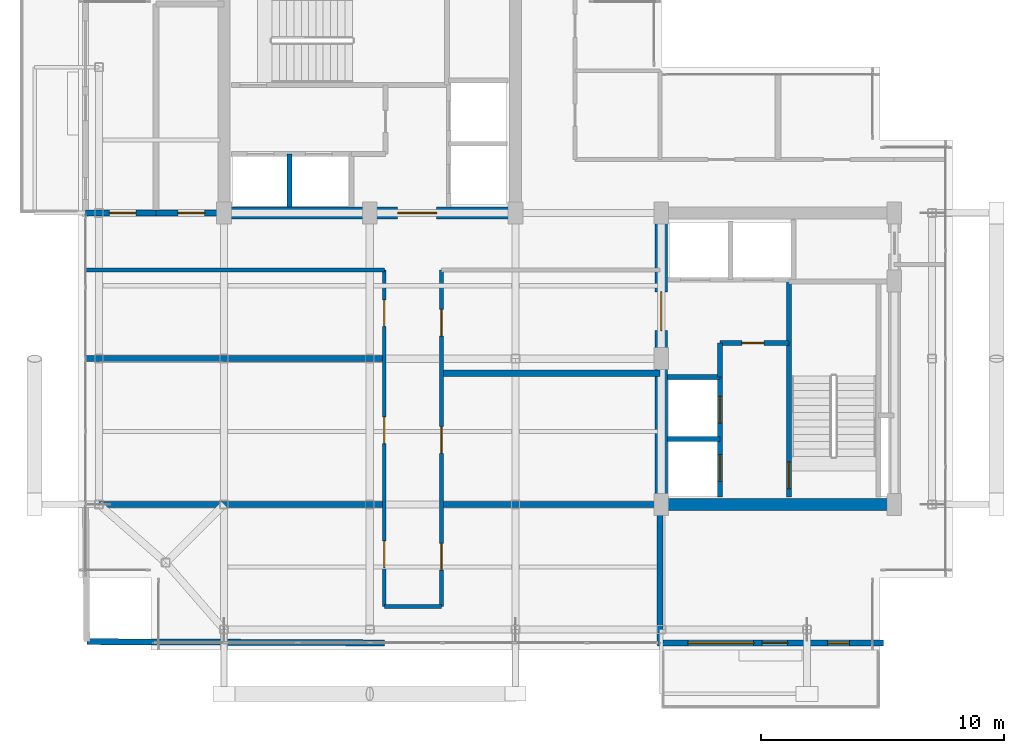
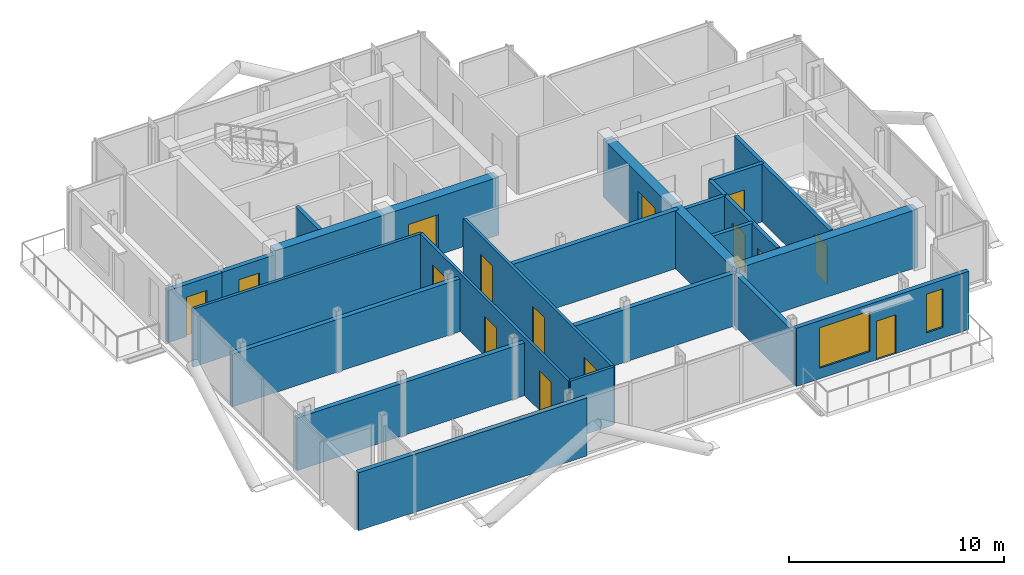
# One storey, part 15 of 19: 23 walls, 15 doors, 2 windows, 17 openings.
"""IFC4 building model written with IfcOpenShell, lengths in metres."""

from ifc_helpers import new_model, si_unit, direction, frame, frame_2d, origin, place, context, subcontext, project, spatial, rectangle, extrude, material, layer, layer_set, type_object, element, fill, save


model = new_model("IFC4")

# Units and contexts
model_context = context("Model", 3, precision=1e-05, world=origin(), true_north=direction((0.0, 1.0)))
body_context = subcontext(model_context, "Body", "Model", "MODEL_VIEW")
ifc_project = project(units=[si_unit("LENGTHUNIT", "METRE"), si_unit("AREAUNIT", "SQUARE_METRE"), si_unit("VOLUMEUNIT", "CUBIC_METRE"), si_unit("PLANEANGLEUNIT", "RADIAN"), si_unit("MASSUNIT", "GRAM", prefix="KILO"), si_unit("THERMODYNAMICTEMPERATUREUNIT", "KELVIN"), si_unit("POWERUNIT", "WATT")], contexts=[model_context])

# Site, building, storey
site_placement = place(None, origin())
site = spatial("IfcSite", under=ifc_project, at=site_placement, CompositionType="ELEMENT")
building_placement = place(site_placement, origin())
building = spatial("IfcBuilding", under=site, at=building_placement, Name="Svarakhadi Broadcast Tower", CompositionType="ELEMENT")
storey_placement = place(building_placement, frame((0.0, 0.0, 285.199951171875)))
storey = spatial("IfcBuildingStorey", under=building, at=storey_placement, Name="L72", CompositionType="ELEMENT", Elevation=285.199951171875)

# Walls
ifc_material_1 = material(Name="Double-Stud Acoustic Studio Partition STC-62", Category="gypsum")
ifc_layer_1 = layer(ifc_material_1, 0.25)
ifc_layer_set_1 = layer_set([ifc_layer_1], Name="Double-Stud Acoustic Studio Partition STC-62")
wall_type_1 = type_object("IfcWallType", Name="Wall_Acoust_250", PredefinedType="PARTITIONING", material=ifc_layer_set_1)
wall_1_placement = place(storey_placement, frame((0.35009765625, 0.35009765625, 0.0), z_axis=(0.0, 0.0, 1.0), x_axis=(0.999991653965, -0.004085584524, 0.0)))
element("IfcWall", 1, at=wall_1_placement, inside=storey, type_object=wall_type_1, Name="L72 Chairman Diplomatic Chambers Wall", PredefinedType="PARTITIONING", context=body_context, shape_type="SweptSolid", body=[
    extrude(rectangle(XDim=12.25, YDim=0.25, at=frame_2d((6.125, 0.0))), origin(), (0.0, 0.0, 1.0), 3.300048828125),
])
for number, where, z_axis, x_axis, name in (
    (2, (0.300048828125, 6.0, 0.0), (0.0, 0.0, 1.0), (1.0, 0.0, 0.0), "L72 Chairman Diplomatic Chambers Wall"),
    (3, (0.300048828125, 12.0, 0.0), (0.0, 0.0, 1.0), (1.0, 0.0, 0.0), "L72 International Counsel Office Wall"),
):
    element("IfcWall", number, at=place(storey_placement, frame(where, z_axis=z_axis, x_axis=x_axis)), inside=storey, type_object=wall_type_1, Name=name, PredefinedType="PARTITIONING", context=body_context, shape_type="SweptSolid", body=[
        extrude(rectangle(XDim=12.300048828125, YDim=0.25, at=frame_2d((6.14990234375, 0.0))), origin(), (0.0, 0.0, 1.0), 2.991943359375),
    ])
wall_2_placement = place(storey_placement, frame((14.949951171875, 6.0, 0.0), z_axis=(0.0, 0.0, 1.0), x_axis=(1.0, 0.0, 0.0)))
element("IfcWall", 4, at=wall_2_placement, inside=storey, type_object=wall_type_1, Name="L72 Summit State Banquet Dining Hall Wall", PredefinedType="PARTITIONING", context=body_context, shape_type="SweptSolid", body=[
    extrude(rectangle(XDim=9.0, YDim=0.25, at=frame_2d((4.5, 0.0))), origin(), (0.0, 0.0, 1.0), 2.991943359375),
])
wall_3_placement = place(storey_placement, frame((23.949951171875, 0.300048828125, 0.0), z_axis=(0.0, 0.0, 1.0), x_axis=(0.0, 1.0, 0.0)))
element("IfcWall", 5, at=wall_3_placement, inside=storey, type_object=wall_type_1, Name="L72 Summit State Banquet Dining Hall Wall", PredefinedType="PARTITIONING", context=body_context, shape_type="SweptSolid", body=[
    extrude(rectangle(XDim=5.699951171875, YDim=0.25, at=frame_2d((2.85009765625, 0.0))), origin(), (0.0, 0.0, 1.0), 2.967041015625),
])
wall_4_placement = place(storey_placement, frame((14.949951171875, 11.39990234375, 0.0), z_axis=(0.0, 0.0, 1.0), x_axis=(1.0, 0.0, 0.0)))
element("IfcWall", 6, at=wall_4_placement, inside=storey, type_object=wall_type_1, Name="L72 Summit Culinary Preparation Kitchen Wall", PredefinedType="PARTITIONING", context=body_context, shape_type="SweptSolid", body=[
    extrude(rectangle(XDim=9.0, YDim=0.25, at=frame_2d((4.5, 0.0))), origin(), (0.0, 0.0, 1.0), 3.300048828125),
])

# Wall, opening, door
wall_5_placement = place(storey_placement, frame((0.300048828125, 18.0, 0.0), z_axis=(0.0, 0.0, 1.0), x_axis=(1.0, 0.0, 0.0)))
wall_5 = element("IfcWall", 7, at=wall_5_placement, inside=storey, type_object=wall_type_1, Name="L72 State Reception Salon Wall", PredefinedType="PARTITIONING", context=body_context, shape_type="SweptSolid", body=[
    extrude(rectangle(XDim=2.89990234375, YDim=0.25, at=frame_2d((1.449951171875, 0.0))), origin(), (0.0, 0.0, 1.0), 2.967041015625),
])
opening_1_placement = place(wall_5_placement, frame((0.97509765625, 0.0, 0.0)))
opening_1 = element("IfcOpeningElement", 8, at=opening_1_placement, cuts=wall_5, Name="Opening D-11", PredefinedType="OPENING", context=body_context, shape_type="SweptSolid", body=[
    extrude(rectangle(XDim=1.10009765625, YDim=2.25, at=frame_2d((0.550048828125, 1.125))), frame((0.0, 0.135009765625, 0.0), z_axis=(0.0, -1.0, 0.0), x_axis=(1.0, 0.0, 0.0)), (0.0, 0.0, 1.0), 0.27001953125),
])
ifc_material_2 = material(Name="Solid-Core Teak Veneer Acoustic Timber Leaf", Category="wood")
door_type_1 = type_object("IfcDoorType", Name="Door_Acoust_D11", OperationType="SINGLE_SWING_RIGHT", PredefinedType="DOOR", material=ifc_material_2)
door_1_placement = place(opening_1_placement, origin())
door_1 = element("IfcDoor", 9, at=door_1_placement, inside=storey, type_object=door_type_1, Name="L72 State Reception Salon Door", OperationType="SINGLE_SWING_RIGHT", OverallHeight=2.25, OverallWidth=1.10009765625, PredefinedType="DOOR", context=body_context, shape_type="SweptSolid", body=[
    extrude(rectangle(XDim=1.10009765625, YDim=2.25, at=frame_2d((0.550048828125, 1.125))), frame((0.0, 0.02490234375, 0.0), z_axis=(0.0, -1.0, 0.0), x_axis=(1.0, 0.0, 0.0)), (0.0, 0.0, 1.0), 0.050048828125),
])
fill(opening_1, door_1)

wall_6_placement = place(storey_placement, frame((3.199951171875, 18.0, 0.0), z_axis=(0.0, 0.0, 1.0), x_axis=(1.0, 0.0, 0.0)))
wall_6 = element("IfcWall", 10, at=wall_6_placement, inside=storey, type_object=wall_type_1, Name="L72 Protocol Registry Office Wall", PredefinedType="PARTITIONING", context=body_context, shape_type="SweptSolid", body=[
    extrude(rectangle(XDim=2.800048828125, YDim=0.25, at=frame_2d((1.39990234375, 0.0))), origin(), (0.0, 0.0, 1.0), 2.991943359375),
])
opening_2_placement = place(wall_6_placement, frame((0.89990234375, 0.0, 0.0)))
opening_2 = element("IfcOpeningElement", 11, at=opening_2_placement, cuts=wall_6, Name="Opening D-10", PredefinedType="OPENING", context=body_context, shape_type="SweptSolid", body=[
    extrude(rectangle(XDim=1.10009765625, YDim=2.25, at=frame_2d((0.550048828125, 1.125))), frame((0.0, 0.135009765625, 0.0), z_axis=(0.0, -1.0, 0.0), x_axis=(1.0, 0.0, 0.0)), (0.0, 0.0, 1.0), 0.27001953125),
])
door_type_2 = type_object("IfcDoorType", Name="Door_Acoust_D10", OperationType="SINGLE_SWING_LEFT", PredefinedType="DOOR", material=ifc_material_2)
door_2_placement = place(opening_2_placement, origin())
door_2 = element("IfcDoor", 12, at=door_2_placement, inside=storey, type_object=door_type_2, Name="L72 Protocol Registry Office Door", OperationType="SINGLE_SWING_LEFT", OverallHeight=2.25, OverallWidth=1.10009765625, PredefinedType="DOOR", context=body_context, shape_type="SweptSolid", body=[
    extrude(rectangle(XDim=1.10009765625, YDim=2.25, at=frame_2d((0.550048828125, 1.125))), frame((0.0, 0.02490234375, 0.0), z_axis=(0.0, -1.0, 0.0), x_axis=(1.0, 0.0, 0.0)), (0.0, 0.0, 1.0), 0.050048828125),
])
fill(opening_2, door_2)

# Wall, openings, door, windows
ifc_material_3 = material(Name="Concrete C40/50 (IS 456 M50)", Category="concrete")
ifc_layer_2 = layer(ifc_material_3, 0.239990234375)
ifc_layer_set_2 = layer_set([ifc_layer_2], Name="Concrete C40/50 (IS 456 M50)")
wall_type_2 = type_object("IfcWallType", Name="Wall_Ext_240", PredefinedType="SOLIDWALL", material=ifc_layer_set_2)
wall_7_placement = place(storey_placement, frame((33.14501953125, 0.300048828125, 0.0), z_axis=(0.0, 0.0, 1.0), x_axis=(-1.0, 0.0, 0.0)))
wall_7 = element("IfcWall", 13, at=wall_7_placement, inside=storey, type_object=wall_type_2, Name="L72 South Tree Balcony Spandrel Wall", PredefinedType="SOLIDWALL", context=body_context, shape_type="SweptSolid", body=[
    extrude(rectangle(XDim=9.2900390625, YDim=0.239990234375, at=frame_2d((4.64501953125, 0.0))), origin(), (0.0, 0.0, 1.0), 3.300048828125),
])
opening_3_placement = place(wall_7_placement, frame((3.945068359375, 0.0, 0.0)))
opening_3 = element("IfcOpeningElement", 14, at=opening_3_placement, cuts=wall_7, Name="Opening ED-06", PredefinedType="OPENING", context=body_context, shape_type="SweptSolid", body=[
    extrude(rectangle(XDim=1.050048828125, YDim=2.199951171875, at=frame_2d((0.52490234375, 1.10009765625))), frame((0.0, 0.1298828125, 0.0), z_axis=(0.0, -1.0, 0.0), x_axis=(1.0, 0.0, 0.0)), (0.0, 0.0, 1.0), 0.260009765625),
])
opening_4_placement = place(wall_7_placement, frame((5.344970703125, 0.0, 0.60009765625)))
opening_4 = element("IfcOpeningElement", 15, at=opening_4_placement, cuts=wall_7, Name="Opening WN-07", PredefinedType="OPENING", context=body_context, shape_type="SweptSolid", body=[
    extrude(rectangle(XDim=2.699951171875, YDim=2.300048828125, at=frame_2d((1.35009765625, 1.14990234375))), frame((0.0, 0.1298828125, 0.0), z_axis=(0.0, -1.0, 0.0), x_axis=(1.0, 0.0, 0.0)), (0.0, 0.0, 1.0), 0.260009765625),
])
opening_5_placement = place(wall_7_placement, frame((1.39990234375, 0.0, 0.60009765625)))
opening_5 = element("IfcOpeningElement", 16, at=opening_5_placement, cuts=wall_7, Name="Opening WN-04", PredefinedType="OPENING", context=body_context, shape_type="SweptSolid", body=[
    extrude(rectangle(XDim=0.89990234375, YDim=2.199951171875, at=frame_2d((0.449951171875, 1.10009765625))), frame((0.0, 0.1298828125, 0.0), z_axis=(0.0, -1.0, 0.0), x_axis=(1.0, 0.0, 0.0)), (0.0, 0.0, 1.0), 0.260009765625),
])
ifc_material_4 = material(Name="Anodised Bronze Aluminium AA 6063-T6", Category="aluminium")
door_type_3 = type_object("IfcDoorType", Name="Door_Ext_ED06", OperationType="SINGLE_SWING_RIGHT", PredefinedType="DOOR", material=ifc_material_4)
door_3_placement = place(opening_3_placement, origin())
door_3 = element("IfcDoor", 17, at=door_3_placement, inside=storey, type_object=door_type_3, Name="L72 South Tree Balcony Door", OperationType="SINGLE_SWING_RIGHT", OverallHeight=2.199951171875, OverallWidth=1.050048828125, PredefinedType="DOOR", context=body_context, shape_type="SweptSolid", body=[
    extrude(rectangle(XDim=1.050048828125, YDim=2.199951171875, at=frame_2d((0.52490234375, 1.10009765625))), frame((0.0, 0.02490234375, 0.0), z_axis=(0.0, -1.0, 0.0), x_axis=(1.0, 0.0, 0.0)), (0.0, 0.0, 1.0), 0.050048828125),
])
fill(opening_3, door_3)
ifc_material_5 = material(Name="Double Low-E Laminated Acoustic Glass IGU 36 mm", Category="glass")
window_type_1 = type_object("IfcWindowType", Name="Win_Resi_WN07", PartitioningType="SINGLE_PANEL", PredefinedType="WINDOW", material=ifc_material_5)
window_1_placement = place(opening_4_placement, origin())
window_1 = element("IfcWindow", 18, at=window_1_placement, inside=storey, type_object=window_type_1, Name="L72 South Tree Balcony Window", OverallHeight=2.300048828125, OverallWidth=2.699951171875, PartitioningType="SINGLE_PANEL", PredefinedType="WINDOW", context=body_context, shape_type="SweptSolid", body=[
    extrude(rectangle(XDim=2.699951171875, YDim=2.300048828125, at=frame_2d((1.35009765625, 1.14990234375))), frame((0.0, 0.030029296875, 0.0), z_axis=(0.0, -1.0, 0.0), x_axis=(1.0, 0.0, 0.0)), (0.0, 0.0, 1.0), 0.06005859375),
])
fill(opening_4, window_1)
window_type_2 = type_object("IfcWindowType", Name="Win_Slot_WN04", PartitioningType="SINGLE_PANEL", PredefinedType="WINDOW", material=ifc_material_5)
window_2_placement = place(opening_5_placement, origin())
window_2 = element("IfcWindow", 19, at=window_2_placement, inside=storey, type_object=window_type_2, Name="L72 South Primary Bedroom Slot Window", OverallHeight=2.199951171875, OverallWidth=0.89990234375, PartitioningType="SINGLE_PANEL", PredefinedType="WINDOW", context=body_context, shape_type="SweptSolid", body=[
    extrude(rectangle(XDim=0.89990234375, YDim=2.199951171875, at=frame_2d((0.449951171875, 1.10009765625))), frame((0.0, 0.030029296875, 0.0), z_axis=(0.0, -1.0, 0.0), x_axis=(1.0, 0.0, 0.0)), (0.0, 0.0, 1.0), 0.06005859375),
])
fill(opening_5, window_2)

# Wall, openings, doors
ifc_material_6 = material(Name="Autoclaved Aerated Concrete Blockwork 150 mm", Category="masonry")
ifc_layer_3 = layer(ifc_material_6, 0.14990234375)
ifc_layer_set_3 = layer_set([ifc_layer_3], Name="Autoclaved Aerated Concrete Blockwork 150 mm")
wall_type_3 = type_object("IfcWallType", Name="Wall_Part_150", PredefinedType="PARTITIONING", material=ifc_layer_set_3)
wall_8_placement = place(storey_placement, frame((12.60009765625, 1.800048828125, 0.0), z_axis=(0.0, 0.0, 1.0), x_axis=(0.0, 1.0, 0.0)))
wall_8 = element("IfcWall", 20, at=wall_8_placement, inside=storey, type_object=wall_type_3, Name="L72 Upper Tower Concourse Wall", PredefinedType="PARTITIONING", context=body_context, shape_type="SweptSolid", body=[
    extrude(rectangle(XDim=13.849853515625, YDim=0.14990234375, at=frame_2d((6.9248046875, 0.0))), origin(), (0.0, 0.0, 1.0), 3.300048828125),
])
opening_6_placement = place(wall_8_placement, frame((1.60009765625, 0.0, 0.0)))
opening_6 = element("IfcOpeningElement", 21, at=opening_6_placement, cuts=wall_8, Name="Opening D-11", PredefinedType="OPENING", context=body_context, shape_type="SweptSolid", body=[
    extrude(rectangle(XDim=1.10009765625, YDim=2.25, at=frame_2d((0.550048828125, 1.125))), frame((0.0, 0.0849609375, 0.0), z_axis=(0.0, -1.0, 0.0), x_axis=(1.0, 0.0, 0.0)), (0.0, 0.0, 1.0), 0.169921875),
])
opening_7_placement = place(wall_8_placement, frame((6.699951171875, 0.0, 0.0)))
opening_7 = element("IfcOpeningElement", 22, at=opening_7_placement, cuts=wall_8, Name="Opening D-10", PredefinedType="OPENING", context=body_context, shape_type="SweptSolid", body=[
    extrude(rectangle(XDim=1.10009765625, YDim=2.25, at=frame_2d((0.550048828125, 1.125))), frame((0.0, 0.0849609375, 0.0), z_axis=(0.0, -1.0, 0.0), x_axis=(1.0, 0.0, 0.0)), (0.0, 0.0, 1.0), 0.169921875),
])
opening_8_placement = place(wall_8_placement, frame((11.52490234375, 0.0, 0.0)))
opening_8 = element("IfcOpeningElement", 23, at=opening_8_placement, cuts=wall_8, Name="Opening D-11", PredefinedType="OPENING", context=body_context, shape_type="SweptSolid", body=[
    extrude(rectangle(XDim=1.10009765625, YDim=2.25, at=frame_2d((0.550048828125, 1.125))), frame((0.0, 0.0849609375, 0.0), z_axis=(0.0, -1.0, 0.0), x_axis=(1.0, 0.0, 0.0)), (0.0, 0.0, 1.0), 0.169921875),
])
door_4_placement = place(opening_7_placement, origin())
door_4 = element("IfcDoor", 24, at=door_4_placement, inside=storey, type_object=door_type_2, Name="L72 International Counsel Office Door", OperationType="SINGLE_SWING_LEFT", OverallHeight=2.25, OverallWidth=1.10009765625, PredefinedType="DOOR", context=body_context, shape_type="SweptSolid", body=[
    extrude(rectangle(XDim=1.10009765625, YDim=2.25, at=frame_2d((0.550048828125, 1.125))), frame((0.0, 0.02490234375, 0.0), z_axis=(0.0, -1.0, 0.0), x_axis=(1.0, 0.0, 0.0)), (0.0, 0.0, 1.0), 0.050048828125),
])
fill(opening_7, door_4)
door_5_placement = place(opening_6_placement, origin())
door_5 = element("IfcDoor", 25, at=door_5_placement, inside=storey, type_object=door_type_1, Name="L72 Chairman Diplomatic Chambers Door", OperationType="SINGLE_SWING_RIGHT", OverallHeight=2.25, OverallWidth=1.10009765625, PredefinedType="DOOR", context=body_context, shape_type="SweptSolid", body=[
    extrude(rectangle(XDim=1.10009765625, YDim=2.25, at=frame_2d((0.550048828125, 1.125))), frame((0.0, 0.02490234375, 0.0), z_axis=(0.0, -1.0, 0.0), x_axis=(1.0, 0.0, 0.0)), (0.0, 0.0, 1.0), 0.050048828125),
])
fill(opening_6, door_5)
door_6_placement = place(opening_8_placement, origin())
door_6 = element("IfcDoor", 26, at=door_6_placement, inside=storey, type_object=door_type_1, Name="L72 Protocol Secretariat Office Door", OperationType="SINGLE_SWING_RIGHT", OverallHeight=2.25, OverallWidth=1.10009765625, PredefinedType="DOOR", context=body_context, shape_type="SweptSolid", body=[
    extrude(rectangle(XDim=1.10009765625, YDim=2.25, at=frame_2d((0.550048828125, 1.125))), frame((0.0, 0.02490234375, 0.0), z_axis=(0.0, -1.0, 0.0), x_axis=(1.0, 0.0, 0.0)), (0.0, 0.0, 1.0), 0.050048828125),
])
fill(opening_8, door_6)

# Wall
wall_9_placement = place(storey_placement, frame((12.60009765625, 15.64990234375, 0.0), z_axis=(0.0, 0.0, 1.0), x_axis=(-1.0, 0.0, 0.0)))
element("IfcWall", 27, at=wall_9_placement, inside=storey, type_object=wall_type_3, Name="L72 Upper Tower Concourse Wall", PredefinedType="PARTITIONING", context=body_context, shape_type="SweptSolid", body=[
    extrude(rectangle(XDim=12.300048828125, YDim=0.14990234375, at=frame_2d((6.14990234375, 0.0))), origin(), (0.0, 0.0, 1.0), 3.300048828125),
])

# Wall, openings, doors
wall_10_placement = place(storey_placement, frame((14.949951171875, 15.64990234375, 0.0), z_axis=(0.0, 0.0, 1.0), x_axis=(0.0, -1.0, 0.0)))
wall_10 = element("IfcWall", 28, at=wall_10_placement, inside=storey, type_object=wall_type_3, Name="L72 Upper Tower Concourse Wall", PredefinedType="PARTITIONING", context=body_context, shape_type="SweptSolid", body=[
    extrude(rectangle(XDim=13.849853515625, YDim=0.14990234375, at=frame_2d((6.9248046875, 0.0))), origin(), (0.0, 0.0, 1.0), 3.300048828125),
])
opening_9_placement = place(wall_10_placement, frame((11.25, 0.0, 0.0)))
opening_9 = element("IfcOpeningElement", 29, at=opening_9_placement, cuts=wall_10, Name="Opening D-10", PredefinedType="OPENING", context=body_context, shape_type="SweptSolid", body=[
    extrude(rectangle(XDim=1.10009765625, YDim=2.25, at=frame_2d((0.550048828125, 1.125))), frame((0.0, 0.0849609375, 0.0), z_axis=(0.0, -1.0, 0.0), x_axis=(1.0, 0.0, 0.0)), (0.0, 0.0, 1.0), 0.169921875),
])
opening_10_placement = place(wall_10_placement, frame((6.449951171875, 0.0, 0.0)))
opening_10 = element("IfcOpeningElement", 30, at=opening_10_placement, cuts=wall_10, Name="Opening D-11", PredefinedType="OPENING", context=body_context, shape_type="SweptSolid", body=[
    extrude(rectangle(XDim=1.10009765625, YDim=2.25, at=frame_2d((0.550048828125, 1.125))), frame((0.0, 0.0849609375, 0.0), z_axis=(0.0, -1.0, 0.0), x_axis=(1.0, 0.0, 0.0)), (0.0, 0.0, 1.0), 0.169921875),
])
opening_11_placement = place(wall_10_placement, frame((1.625, 0.0, 0.0)))
opening_11 = element("IfcOpeningElement", 31, at=opening_11_placement, cuts=wall_10, Name="Opening D-10", PredefinedType="OPENING", context=body_context, shape_type="SweptSolid", body=[
    extrude(rectangle(XDim=1.10009765625, YDim=2.25, at=frame_2d((0.550048828125, 1.125))), frame((0.0, 0.0849609375, 0.0), z_axis=(0.0, -1.0, 0.0), x_axis=(1.0, 0.0, 0.0)), (0.0, 0.0, 1.0), 0.169921875),
])
door_7_placement = place(opening_9_placement, origin())
door_7 = element("IfcDoor", 32, at=door_7_placement, inside=storey, type_object=door_type_2, Name="L72 Summit State Banquet Dining Hall Door", OperationType="SINGLE_SWING_LEFT", OverallHeight=2.25, OverallWidth=1.10009765625, PredefinedType="DOOR", context=body_context, shape_type="SweptSolid", body=[
    extrude(rectangle(XDim=1.10009765625, YDim=2.25, at=frame_2d((0.550048828125, 1.125))), frame((0.0, 0.02490234375, 0.0), z_axis=(0.0, -1.0, 0.0), x_axis=(1.0, 0.0, 0.0)), (0.0, 0.0, 1.0), 0.050048828125),
])
fill(opening_9, door_7)
door_8_placement = place(opening_11_placement, origin())
door_8 = element("IfcDoor", 33, at=door_8_placement, inside=storey, type_object=door_type_2, Name="L72 Sommelier Cold Pantry Door", OperationType="SINGLE_SWING_LEFT", OverallHeight=2.25, OverallWidth=1.10009765625, PredefinedType="DOOR", context=body_context, shape_type="SweptSolid", body=[
    extrude(rectangle(XDim=1.10009765625, YDim=2.25, at=frame_2d((0.550048828125, 1.125))), frame((0.0, 0.02490234375, 0.0), z_axis=(0.0, -1.0, 0.0), x_axis=(1.0, 0.0, 0.0)), (0.0, 0.0, 1.0), 0.050048828125),
])
fill(opening_11, door_8)
door_9_placement = place(opening_10_placement, origin())
door_9 = element("IfcDoor", 34, at=door_9_placement, inside=storey, type_object=door_type_1, Name="L72 Summit Culinary Preparation Kitchen Door", OperationType="SINGLE_SWING_RIGHT", OverallHeight=2.25, OverallWidth=1.10009765625, PredefinedType="DOOR", context=body_context, shape_type="SweptSolid", body=[
    extrude(rectangle(XDim=1.10009765625, YDim=2.25, at=frame_2d((0.550048828125, 1.125))), frame((0.0, 0.02490234375, 0.0), z_axis=(0.0, -1.0, 0.0), x_axis=(1.0, 0.0, 0.0)), (0.0, 0.0, 1.0), 0.050048828125),
])
fill(opening_10, door_9)

# Wall
wall_11_placement = place(storey_placement, frame((14.949951171875, 1.800048828125, 0.0), z_axis=(0.0, 0.0, 1.0), x_axis=(-1.0, 0.0, 0.0)))
element("IfcWall", 35, at=wall_11_placement, inside=storey, type_object=wall_type_3, Name="L72 Upper Tower Concourse Wall", PredefinedType="PARTITIONING", context=body_context, shape_type="SweptSolid", body=[
    extrude(rectangle(XDim=2.349853515625, YDim=0.14990234375, at=frame_2d((1.1748046875, 0.0))), origin(), (0.0, 0.0, 1.0), 3.300048828125),
])

# Wall, opening, door
ifc_material_7 = material(Name="Concrete C50/60 (IS 456 M60)", Category="concrete")
ifc_layer_4 = layer(ifc_material_7, 0.199951171875)
ifc_layer_set_4 = layer_set([ifc_layer_4], Name="Concrete C50/60 (IS 456 M60)")
wall_type_4 = type_object("IfcWallType", Name="Wall_Shear_200", PredefinedType="SHEAR", material=ifc_layer_set_4)
wall_12_placement = place(storey_placement, frame((29.260009765625, 6.300048828125, 0.0), z_axis=(0.0, 0.0, 1.0), x_axis=(0.0, 1.0, 0.0)))
wall_12 = element("IfcWall", 36, at=wall_12_placement, inside=storey, type_object=wall_type_4, Name="L72 Stair ST-02 West RC Shaft Wall", PredefinedType="SHEAR", context=body_context, shape_type="SweptSolid", body=[
    extrude(rectangle(XDim=8.8798828125, YDim=0.199951171875, at=frame_2d((4.43994140625, 0.0))), origin(), (0.0, 0.0, 1.0), 3.300048828125),
])
opening_12_placement = place(wall_12_placement, frame((0.35009765625, 0.0, 0.0)))
opening_12 = element("IfcOpeningElement", 37, at=opening_12_placement, cuts=wall_12, Name="Opening D-02", PredefinedType="OPENING", context=body_context, shape_type="SweptSolid", body=[
    extrude(rectangle(XDim=1.10009765625, YDim=2.199951171875, at=frame_2d((0.550048828125, 1.10009765625))), frame((0.0, 0.10986328125, 0.0), z_axis=(0.0, -1.0, 0.0), x_axis=(1.0, 0.0, 0.0)), (0.0, 0.0, 1.0), 0.219970703125),
])
ifc_material_8 = material(Name="Galvanised Powder-Coated Fire-Rated Steel Leaf", Category="steel")
door_type_4 = type_object("IfcDoorType", Name="Door_Stair_D02", OperationType="SINGLE_SWING_RIGHT", PredefinedType="DOOR", material=ifc_material_8)
door_10_placement = place(opening_12_placement, origin())
door_10 = element("IfcDoor", 38, at=door_10_placement, inside=storey, type_object=door_type_4, Name="L72 Protected Exit Stair ST-02 Fire Door", OperationType="SINGLE_SWING_RIGHT", OverallHeight=2.199951171875, OverallWidth=1.10009765625, PredefinedType="DOOR", context=body_context, shape_type="SweptSolid", body=[
    extrude(rectangle(XDim=1.10009765625, YDim=2.199951171875, at=frame_2d((0.550048828125, 1.10009765625))), frame((0.0, 0.02490234375, 0.0), z_axis=(0.0, -1.0, 0.0), x_axis=(1.0, 0.0, 0.0)), (0.0, 0.0, 1.0), 0.050048828125),
])
fill(opening_12, door_10)

# Wall
wall_13_placement = place(storey_placement, frame((8.699951171875, 18.25, 0.0), z_axis=(0.0, 0.0, 1.0), x_axis=(0.0, 1.0, 0.0)))
element("IfcWall", 39, at=wall_13_placement, inside=storey, type_object=wall_type_4, Name="L72 Firefighting Lift LF-01/02 Divider Wall", PredefinedType="SHEAR", context=body_context, shape_type="SweptSolid", body=[
    extrude(rectangle(XDim=2.169921875, YDim=0.199951171875, at=frame_2d((1.0849609375, 0.0))), origin(), (0.0, 0.0, 1.0), 3.300048828125),
])

# Wall, openings, doors
wall_14_placement = place(storey_placement, frame((26.419921875, 6.300048828125, 0.0), z_axis=(0.0, 0.0, 1.0), x_axis=(0.0, 1.0, 0.0)))
wall_14 = element("IfcWall", 40, at=wall_14_placement, inside=storey, type_object=wall_type_4, Name="L72 Firefighting Lift LF-03/04 Shaft Wall", PredefinedType="SHEAR", context=body_context, shape_type="SweptSolid", body=[
    extrude(rectangle(XDim=4.949951171875, YDim=0.199951171875, at=frame_2d((2.47509765625, 0.0))), origin(), (0.0, 0.0, 1.0), 3.300048828125),
])
opening_13_placement = place(wall_14_placement, frame((0.64990234375, 0.0, 0.0)))
opening_13 = element("IfcOpeningElement", 41, at=opening_13_placement, cuts=wall_14, Name="Opening LD-01", PredefinedType="OPENING", context=body_context, shape_type="SweptSolid", body=[
    extrude(rectangle(XDim=1.10009765625, YDim=2.199951171875, at=frame_2d((0.550048828125, 1.10009765625))), frame((0.0, 0.10986328125, 0.0), z_axis=(0.0, -1.0, 0.0), x_axis=(1.0, 0.0, 0.0)), (0.0, 0.0, 1.0), 0.219970703125),
])
opening_14_placement = place(wall_14_placement, frame((3.050048828125, 0.0, 0.0)))
opening_14 = element("IfcOpeningElement", 42, at=opening_14_placement, cuts=wall_14, Name="Opening LD-01", PredefinedType="OPENING", context=body_context, shape_type="SweptSolid", body=[
    extrude(rectangle(XDim=1.10009765625, YDim=2.199951171875, at=frame_2d((0.550048828125, 1.10009765625))), frame((0.0, 0.10986328125, 0.0), z_axis=(0.0, -1.0, 0.0), x_axis=(1.0, 0.0, 0.0)), (0.0, 0.0, 1.0), 0.219970703125),
])
door_type_5 = type_object("IfcDoorType", Name="Door_Lift_LD01", OperationType="SLIDING_TO_LEFT", PredefinedType="DOOR", material=ifc_material_8)
door_11_placement = place(opening_13_placement, origin())
door_11 = element("IfcDoor", 43, at=door_11_placement, inside=storey, type_object=door_type_5, Name="L72 Firefighting Lift LF-03 Landing Door", OperationType="SLIDING_TO_LEFT", OverallHeight=2.199951171875, OverallWidth=1.10009765625, PredefinedType="DOOR", context=body_context, shape_type="SweptSolid", body=[
    extrude(rectangle(XDim=1.10009765625, YDim=2.199951171875, at=frame_2d((0.550048828125, 1.10009765625))), frame((0.0, 0.02490234375, 0.0), z_axis=(0.0, -1.0, 0.0), x_axis=(1.0, 0.0, 0.0)), (0.0, 0.0, 1.0), 0.050048828125),
])
fill(opening_13, door_11)
door_12_placement = place(opening_14_placement, origin())
door_12 = element("IfcDoor", 44, at=door_12_placement, inside=storey, type_object=door_type_5, Name="L72 Firefighting Lift LF-04 Landing Door", OperationType="SLIDING_TO_LEFT", OverallHeight=2.199951171875, OverallWidth=1.10009765625, PredefinedType="DOOR", context=body_context, shape_type="SweptSolid", body=[
    extrude(rectangle(XDim=1.10009765625, YDim=2.199951171875, at=frame_2d((0.550048828125, 1.10009765625))), frame((0.0, 0.02490234375, 0.0), z_axis=(0.0, -1.0, 0.0), x_axis=(1.0, 0.0, 0.0)), (0.0, 0.0, 1.0), 0.050048828125),
])
fill(opening_14, door_12)

# Walls
for number, where, z_axis, x_axis, name in (
    (45, (24.25, 8.699951171875, 0.0), (0.0, 0.0, 1.0), (1.0, 0.0, 0.0), "L72 Firefighting Lift LF-03/04 Divider Wall"),
    (46, (24.25, 11.25, 0.0), (0.0, 0.0, 1.0), (1.0, 0.0, 0.0), "L72 Firefighting Lift LF-04 North Wall"),
):
    element("IfcWall", number, at=place(storey_placement, frame(where, z_axis=z_axis, x_axis=x_axis)), inside=storey, type_object=wall_type_4, Name=name, PredefinedType="SHEAR", context=body_context, shape_type="SweptSolid", body=[
        extrude(rectangle(XDim=2.169921875, YDim=0.199951171875, at=frame_2d((1.0849609375, 0.0))), origin(), (0.0, 0.0, 1.0), 3.300048828125),
    ])
wall_15_placement = place(storey_placement, frame((26.419921875, 11.25, 0.0), z_axis=(0.0, 0.0, 1.0), x_axis=(0.0, 1.0, 0.0)))
element("IfcWall", 47, at=wall_15_placement, inside=storey, type_object=wall_type_4, Name="L72 East Firefighting Lobby West Wall", PredefinedType="SHEAR", context=body_context, shape_type="SweptSolid", body=[
    extrude(rectangle(XDim=1.39990234375, YDim=0.199951171875, at=frame_2d((0.699951171875, 0.0))), origin(), (0.0, 0.0, 1.0), 3.300048828125),
])

# Wall, opening, door
wall_16_placement = place(storey_placement, frame((26.419921875, 12.64990234375, 0.0), z_axis=(0.0, 0.0, 1.0), x_axis=(1.0, 0.0, 0.0)))
wall_16 = element("IfcWall", 48, at=wall_16_placement, inside=storey, type_object=wall_type_4, Name="L72 East Firefighting Lobby North Wall", PredefinedType="SHEAR", context=body_context, shape_type="SweptSolid", body=[
    extrude(rectangle(XDim=2.840087890625, YDim=0.199951171875, at=frame_2d((1.419921875, 0.0))), origin(), (0.0, 0.0, 1.0), 3.300048828125),
])
opening_15_placement = place(wall_16_placement, frame((0.89990234375, 0.0, 0.0)))
opening_15 = element("IfcOpeningElement", 49, at=opening_15_placement, cuts=wall_16, Name="Opening D-03", PredefinedType="OPENING", context=body_context, shape_type="SweptSolid", body=[
    extrude(rectangle(XDim=0.89990234375, YDim=2.14990234375, at=frame_2d((0.449951171875, 1.074951171875))), frame((0.0, 0.10986328125, 0.0), z_axis=(0.0, -1.0, 0.0), x_axis=(1.0, 0.0, 0.0)), (0.0, 0.0, 1.0), 0.219970703125),
])
door_type_6 = type_object("IfcDoorType", Name="Door_Fire_D03", OperationType="SINGLE_SWING_LEFT", PredefinedType="DOOR", material=ifc_material_8)
door_13_placement = place(opening_15_placement, origin())
door_13 = element("IfcDoor", 50, at=door_13_placement, inside=storey, type_object=door_type_6, Name="L72 East Firefighting Lobby Fire Door", OperationType="SINGLE_SWING_LEFT", OverallHeight=2.14990234375, OverallWidth=0.89990234375, PredefinedType="DOOR", context=body_context, shape_type="SweptSolid", body=[
    extrude(rectangle(XDim=0.89990234375, YDim=2.14990234375, at=frame_2d((0.449951171875, 1.074951171875))), frame((0.0, 0.02490234375, 0.0), z_axis=(0.0, -1.0, 0.0), x_axis=(1.0, 0.0, 0.0)), (0.0, 0.0, 1.0), 0.050048828125),
])
fill(opening_15, door_13)

ifc_layer_5 = layer(ifc_material_7, 0.5)
ifc_layer_set_5 = layer_set([ifc_layer_5], Name="Concrete C50/60 (IS 456 M60)")
wall_type_5 = type_object("IfcWallType", Name="Wall_Shear_500", PredefinedType="SHEAR", material=ifc_layer_set_5)
wall_17_placement = place(storey_placement, frame((6.0, 18.0, 0.0), z_axis=(0.0, 0.0, 1.0), x_axis=(1.0, 0.0, 0.0)))
wall_17 = element("IfcWall", 51, at=wall_17_placement, inside=storey, type_object=wall_type_5, Name="L72 West Core South Shear Wall", PredefinedType="SHEAR", context=body_context, shape_type="SweptSolid", body=[
    extrude(rectangle(XDim=12.0, YDim=0.5, at=frame_2d((6.0, 0.0))), origin(), (0.0, 0.0, 1.0), 3.300048828125),
])
opening_16_placement = place(wall_17_placement, frame((7.14990234375, 0.0, 0.0)))
opening_16 = element("IfcOpeningElement", 52, at=opening_16_placement, cuts=wall_17, Name="Opening D-05", PredefinedType="OPENING", context=body_context, shape_type="SweptSolid", body=[
    extrude(rectangle(XDim=1.60009765625, YDim=2.300048828125, at=frame_2d((0.800048828125, 1.14990234375))), frame((0.0, 0.260009765625, 0.0), z_axis=(0.0, -1.0, 0.0), x_axis=(1.0, 0.0, 0.0)), (0.0, 0.0, 1.0), 0.52001953125),
])
door_type_7 = type_object("IfcDoorType", Name="Door_Lobby_D05", OperationType="DOUBLE_DOOR_SLIDING", PredefinedType="DOOR", material=ifc_material_4)
door_14_placement = place(opening_16_placement, origin())
door_14 = element("IfcDoor", 53, at=door_14_placement, inside=storey, type_object=door_type_7, Name="L72 West Core Passenger Lift Lobby Entrance Door", OperationType="DOUBLE_DOOR_SLIDING", OverallHeight=2.300048828125, OverallWidth=1.60009765625, PredefinedType="DOOR", context=body_context, shape_type="SweptSolid", body=[
    extrude(rectangle(XDim=1.60009765625, YDim=2.300048828125, at=frame_2d((0.800048828125, 1.14990234375))), frame((0.0, 0.02490234375, 0.0), z_axis=(0.0, -1.0, 0.0), x_axis=(1.0, 0.0, 0.0)), (0.0, 0.0, 1.0), 0.050048828125),
])
fill(opening_16, door_14)

# Wall
wall_18_placement = place(storey_placement, frame((24.0, 6.0, 0.0), z_axis=(0.0, 0.0, 1.0), x_axis=(1.0, 0.0, 0.0)))
element("IfcWall", 54, at=wall_18_placement, inside=storey, type_object=wall_type_5, Name="L72 East Core South Shear Wall", PredefinedType="SHEAR", context=body_context, shape_type="SweptSolid", body=[
    extrude(rectangle(XDim=9.60009765625, YDim=0.5, at=frame_2d((4.800048828125, 0.0))), origin(), (0.0, 0.0, 1.0), 3.300048828125),
])

# Wall, opening, door
wall_19_placement = place(storey_placement, frame((24.0, 6.0, 0.0), z_axis=(0.0, 0.0, 1.0), x_axis=(0.0, 1.0, 0.0)))
wall_19 = element("IfcWall", 55, at=wall_19_placement, inside=storey, type_object=wall_type_5, Name="L72 East Core West Shear Wall", PredefinedType="SHEAR", context=body_context, shape_type="SweptSolid", body=[
    extrude(rectangle(XDim=12.0, YDim=0.5, at=frame_2d((6.0, 0.0))), origin(), (0.0, 0.0, 1.0), 3.300048828125),
])
opening_17_placement = place(wall_19_placement, frame((7.14990234375, 0.0, 0.0)))
opening_17 = element("IfcOpeningElement", 56, at=opening_17_placement, cuts=wall_19, Name="Opening D-05", PredefinedType="OPENING", context=body_context, shape_type="SweptSolid", body=[
    extrude(rectangle(XDim=1.60009765625, YDim=2.300048828125, at=frame_2d((0.800048828125, 1.14990234375))), frame((0.0, 0.260009765625, 0.0), z_axis=(0.0, -1.0, 0.0), x_axis=(1.0, 0.0, 0.0)), (0.0, 0.0, 1.0), 0.52001953125),
])
door_15_placement = place(opening_17_placement, origin())
door_15 = element("IfcDoor", 57, at=door_15_placement, inside=storey, type_object=door_type_7, Name="L72 East Core Passenger Lift Lobby Entrance Door", OperationType="DOUBLE_DOOR_SLIDING", OverallHeight=2.300048828125, OverallWidth=1.60009765625, PredefinedType="DOOR", context=body_context, shape_type="SweptSolid", body=[
    extrude(rectangle(XDim=1.60009765625, YDim=2.300048828125, at=frame_2d((0.800048828125, 1.14990234375))), frame((0.0, 0.02490234375, 0.0), z_axis=(0.0, -1.0, 0.0), x_axis=(1.0, 0.0, 0.0)), (0.0, 0.0, 1.0), 0.050048828125),
])
fill(opening_17, door_15)

save(model, "model.ifc")
